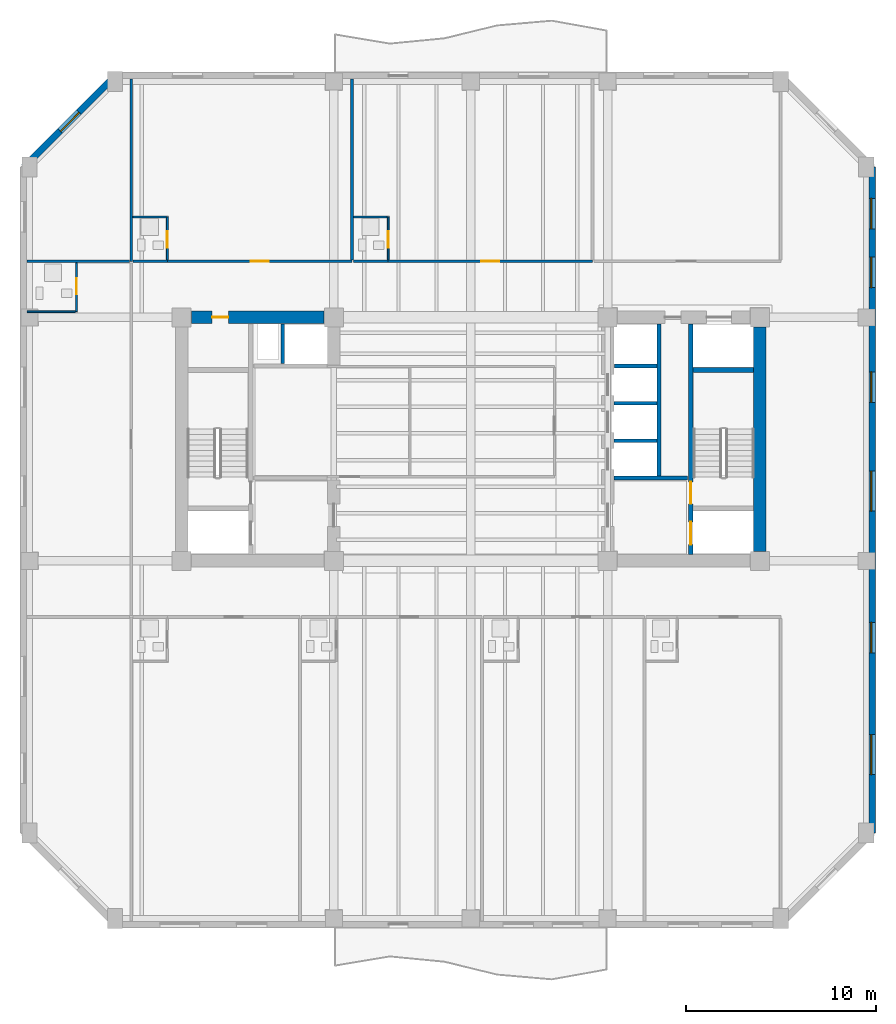
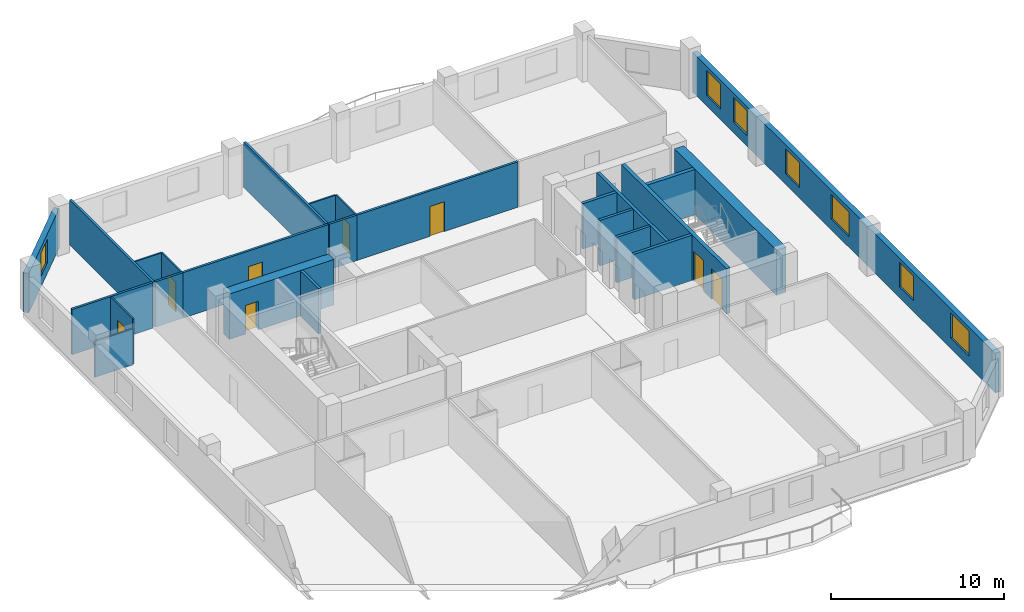
# One storey, part 4 of 10: 25 walls, 8 doors, 7 windows, 15 openings.
"""IFC4 building model written with IfcOpenShell, lengths in metres."""

from ifc_helpers import new_model, si_unit, direction, frame, frame_2d, origin, place, context, subcontext, project, spatial, rectangle, extrude, material, layer, layer_set, type_object, element, fill, save


model = new_model("IFC4")

# Units and contexts
model_context = context("Model", 3, precision=1e-05, world=origin(), true_north=direction((0.0, 1.0)))
body_context = subcontext(model_context, "Body", "Model", "MODEL_VIEW")
ifc_project = project(units=[si_unit("LENGTHUNIT", "METRE"), si_unit("AREAUNIT", "SQUARE_METRE"), si_unit("VOLUMEUNIT", "CUBIC_METRE"), si_unit("PLANEANGLEUNIT", "RADIAN"), si_unit("MASSUNIT", "GRAM", prefix="KILO")], contexts=[model_context])

# Site, building, storey
site_placement = place(None, origin())
site = spatial("IfcSite", under=ifc_project, at=site_placement, CompositionType="ELEMENT")
building_placement = place(site_placement, origin())
building = spatial("IfcBuilding", under=site, at=building_placement, Name="Kranthara Brick Stack", CompositionType="ELEMENT")
storey_placement = place(building_placement, frame((0.0, 0.0, 123.800048828125)))
storey = spatial("IfcBuildingStorey", under=building, at=storey_placement, Name="L30", CompositionType="ELEMENT", Elevation=123.800048828125)

# Wall, opening, window
ifc_material_1 = material(Name="Kiln-fired clay brick masonry M15", Category="masonry")
ifc_layer_1 = layer(ifc_material_1, 0.35009765625)
ifc_layer_set_1 = layer_set([ifc_layer_1], Name="Kiln-fired clay brick masonry M15")
wall_type_1 = type_object("IfcWallType", Name="WL-BRK-SPND-350", PredefinedType="STANDARD", material=ifc_layer_set_1)
wall_1_placement = place(storey_placement, frame((4.4951171875, 41.5, 0.0), z_axis=(0.0, 0.0, 1.0), x_axis=(0.707106781187, 0.707106781187, 0.0)))
wall_1 = element("IfcWall", 1, at=wall_1_placement, inside=storey, type_object=wall_type_1, Name="L30 Exterior Brick Facade Wall NW 1", PredefinedType="STANDARD", context=body_context, shape_type="SweptSolid", body=[
    extrude(rectangle(XDim=6.795166015625, YDim=0.35009765625, at=frame_2d((3.3974609375, 0.0))), origin(), (0.0, 0.0, 1.0), 2.784912109375),
])
opening_1_placement = place(wall_1_placement, frame((2.697998046875, 0.0, 0.75)))
opening_1 = element("IfcOpeningElement", 2, at=opening_1_placement, cuts=wall_1, Name="Opening WN10", PredefinedType="OPENING", context=body_context, shape_type="SweptSolid", body=[
    extrude(rectangle(XDim=1.39990234375, YDim=1.64990234375, at=frame_2d((0.699951171875, 0.824951171875))), frame((0.0, 0.18505859375, 0.0), z_axis=(0.0, -1.0, 0.0), x_axis=(1.0, 0.0, 0.0)), (0.0, 0.0, 1.0), 0.3701171875),
])
ifc_material_2 = material(Name="Double-glazed low-E solar control glass", Category="glass")
window_type_1 = type_object("IfcWindowType", Name="WN-CHM-1400x1750", PartitioningType="SINGLE_PANEL", PredefinedType="WINDOW", material=ifc_material_2)
window_1_placement = place(opening_1_placement, origin())
window_1 = element("IfcWindow", 3, at=window_1_placement, inside=storey, type_object=window_type_1, Name="L30 NW Chamfer Corner Window", OverallHeight=1.64990234375, OverallWidth=1.39990234375, PartitioningType="SINGLE_PANEL", PredefinedType="WINDOW", context=body_context, shape_type="SweptSolid", body=[
    extrude(rectangle(XDim=1.39990234375, YDim=1.64990234375, at=frame_2d((0.699951171875, 0.824951171875))), frame((0.0, -0.010009765625, 0.0), z_axis=(0.0, -1.0, 0.0), x_axis=(1.0, 0.0, 0.0)), (0.0, 0.0, 1.0), 0.06005859375),
])
fill(opening_1, window_1)

# Wall, openings, windows
wall_2_placement = place(storey_placement, frame((49.10498046875, 41.5, 0.0), z_axis=(0.0, 0.0, 1.0), x_axis=(0.0, -1.0, 0.0)))
wall_2 = element("IfcWall", 4, at=wall_2_placement, inside=storey, type_object=wall_type_1, Name="L30 Exterior Brick Facade Wall EAST 1", PredefinedType="STANDARD", context=body_context, shape_type="SweptSolid", body=[
    extrude(rectangle(XDim=35.0, YDim=0.35009765625, at=frame_2d((17.5, 0.0))), origin(), (0.0, 0.0, 1.0), 2.784912109375),
])
opening_2_placement = place(wall_2_placement, frame((1.64501953125, 0.0, 0.75)))
opening_2 = element("IfcOpeningElement", 5, at=opening_2_placement, cuts=wall_2, Name="Opening WN04", PredefinedType="OPENING", context=body_context, shape_type="SweptSolid", body=[
    extrude(rectangle(XDim=1.60009765625, YDim=1.75, at=frame_2d((0.800048828125, 0.875))), frame((0.0, 0.18505859375, 0.0), z_axis=(0.0, -1.0, 0.0), x_axis=(1.0, 0.0, 0.0)), (0.0, 0.0, 1.0), 0.3701171875),
])
opening_3_placement = place(wall_2_placement, frame((4.72900390625, 0.0, 0.75)))
opening_3 = element("IfcOpeningElement", 6, at=opening_3_placement, cuts=wall_2, Name="Opening WN04", PredefinedType="OPENING", context=body_context, shape_type="SweptSolid", body=[
    extrude(rectangle(XDim=1.60009765625, YDim=1.75, at=frame_2d((0.800048828125, 0.875))), frame((0.0, 0.18505859375, 0.0), z_axis=(0.0, -1.0, 0.0), x_axis=(1.0, 0.0, 0.0)), (0.0, 0.0, 1.0), 0.3701171875),
])
opening_4_placement = place(wall_2_placement, frame((10.763916015625, 0.0, 0.75)))
opening_4 = element("IfcOpeningElement", 7, at=opening_4_placement, cuts=wall_2, Name="Opening WN04", PredefinedType="OPENING", context=body_context, shape_type="SweptSolid", body=[
    extrude(rectangle(XDim=1.60009765625, YDim=1.75, at=frame_2d((0.800048828125, 0.875))), frame((0.0, 0.18505859375, 0.0), z_axis=(0.0, -1.0, 0.0), x_axis=(1.0, 0.0, 0.0)), (0.0, 0.0, 1.0), 0.3701171875),
])
opening_5_placement = place(wall_2_placement, frame((15.986083984375, 0.0, 0.75)))
opening_5 = element("IfcOpeningElement", 8, at=opening_5_placement, cuts=wall_2, Name="Opening WN05", PredefinedType="OPENING", context=body_context, shape_type="SweptSolid", body=[
    extrude(rectangle(XDim=2.10009765625, YDim=1.75, at=frame_2d((1.050048828125, 0.875))), frame((0.0, 0.18505859375, 0.0), z_axis=(0.0, -1.0, 0.0), x_axis=(1.0, 0.0, 0.0)), (0.0, 0.0, 1.0), 0.3701171875),
])
opening_6_placement = place(wall_2_placement, frame((23.93408203125, 0.0, 0.75)))
opening_6 = element("IfcOpeningElement", 9, at=opening_6_placement, cuts=wall_2, Name="Opening WN04", PredefinedType="OPENING", context=body_context, shape_type="SweptSolid", body=[
    extrude(rectangle(XDim=1.60009765625, YDim=1.75, at=frame_2d((0.800048828125, 0.875))), frame((0.0, 0.18505859375, 0.0), z_axis=(0.0, -1.0, 0.0), x_axis=(1.0, 0.0, 0.0)), (0.0, 0.0, 1.0), 0.3701171875),
])
opening_7_placement = place(wall_2_placement, frame((29.841064453125, 0.0, 0.75)))
opening_7 = element("IfcOpeningElement", 10, at=opening_7_placement, cuts=wall_2, Name="Opening WN05", PredefinedType="OPENING", context=body_context, shape_type="SweptSolid", body=[
    extrude(rectangle(XDim=2.10009765625, YDim=1.75, at=frame_2d((1.050048828125, 0.875))), frame((0.0, 0.18505859375, 0.0), z_axis=(0.0, -1.0, 0.0), x_axis=(1.0, 0.0, 0.0)), (0.0, 0.0, 1.0), 0.3701171875),
])
ifc_material_3 = material(Name="Double-glazed low-E solar control glass", Category="glass")
window_type_2 = type_object("IfcWindowType", Name="WN-HTL-1600x1850", PartitioningType="DOUBLE_PANEL_VERTICAL", PredefinedType="WINDOW", material=ifc_material_3)
window_2_placement = place(opening_2_placement, origin())
window_2 = element("IfcWindow", 11, at=window_2_placement, inside=storey, type_object=window_type_2, Name="L30 East Deep-Set Brick Window 01", OverallHeight=1.75, OverallWidth=1.60009765625, PartitioningType="SINGLE_PANEL", PredefinedType="WINDOW", context=body_context, shape_type="SweptSolid", body=[
    extrude(rectangle(XDim=1.60009765625, YDim=1.75, at=frame_2d((0.800048828125, 0.875))), frame((0.0, -0.010009765625, 0.0), z_axis=(0.0, -1.0, 0.0), x_axis=(1.0, 0.0, 0.0)), (0.0, 0.0, 1.0), 0.06005859375),
])
fill(opening_2, window_2)
window_3_placement = place(opening_3_placement, origin())
window_3 = element("IfcWindow", 12, at=window_3_placement, inside=storey, type_object=window_type_2, Name="L30 East Deep-Set Brick Window 02", OverallHeight=1.75, OverallWidth=1.60009765625, PartitioningType="SINGLE_PANEL", PredefinedType="WINDOW", context=body_context, shape_type="SweptSolid", body=[
    extrude(rectangle(XDim=1.60009765625, YDim=1.75, at=frame_2d((0.800048828125, 0.875))), frame((0.0, -0.010009765625, 0.0), z_axis=(0.0, -1.0, 0.0), x_axis=(1.0, 0.0, 0.0)), (0.0, 0.0, 1.0), 0.06005859375),
])
fill(opening_3, window_3)
window_4_placement = place(opening_4_placement, origin())
window_4 = element("IfcWindow", 13, at=window_4_placement, inside=storey, type_object=window_type_2, Name="L30 East Deep-Set Brick Window 03", OverallHeight=1.75, OverallWidth=1.60009765625, PartitioningType="SINGLE_PANEL", PredefinedType="WINDOW", context=body_context, shape_type="SweptSolid", body=[
    extrude(rectangle(XDim=1.60009765625, YDim=1.75, at=frame_2d((0.800048828125, 0.875))), frame((0.0, -0.010009765625, 0.0), z_axis=(0.0, -1.0, 0.0), x_axis=(1.0, 0.0, 0.0)), (0.0, 0.0, 1.0), 0.06005859375),
])
fill(opening_4, window_4)
window_5_placement = place(opening_6_placement, origin())
window_5 = element("IfcWindow", 14, at=window_5_placement, inside=storey, type_object=window_type_2, Name="L30 East Deep-Set Brick Window 05", OverallHeight=1.75, OverallWidth=1.60009765625, PartitioningType="SINGLE_PANEL", PredefinedType="WINDOW", context=body_context, shape_type="SweptSolid", body=[
    extrude(rectangle(XDim=1.60009765625, YDim=1.75, at=frame_2d((0.800048828125, 0.875))), frame((0.0, -0.010009765625, 0.0), z_axis=(0.0, -1.0, 0.0), x_axis=(1.0, 0.0, 0.0)), (0.0, 0.0, 1.0), 0.06005859375),
])
fill(opening_6, window_5)
ifc_material_4 = material(Name="Double-glazed low-E solar control glass", Category="glass")
window_type_3 = type_object("IfcWindowType", Name="WN-HTL-2100x1850", PartitioningType="DOUBLE_PANEL_VERTICAL", PredefinedType="WINDOW", material=ifc_material_4)
window_6_placement = place(opening_5_placement, origin())
window_6 = element("IfcWindow", 15, at=window_6_placement, inside=storey, type_object=window_type_3, Name="L30 East Deep-Set Brick Window 04", OverallHeight=1.75, OverallWidth=2.10009765625, PartitioningType="SINGLE_PANEL", PredefinedType="WINDOW", context=body_context, shape_type="SweptSolid", body=[
    extrude(rectangle(XDim=2.10009765625, YDim=1.75, at=frame_2d((1.050048828125, 0.875))), frame((0.0, -0.010009765625, 0.0), z_axis=(0.0, -1.0, 0.0), x_axis=(1.0, 0.0, 0.0)), (0.0, 0.0, 1.0), 0.06005859375),
])
fill(opening_5, window_6)
window_7_placement = place(opening_7_placement, origin())
window_7 = element("IfcWindow", 16, at=window_7_placement, inside=storey, type_object=window_type_3, Name="L30 East Deep-Set Brick Window 06", OverallHeight=1.75, OverallWidth=2.10009765625, PartitioningType="SINGLE_PANEL", PredefinedType="WINDOW", context=body_context, shape_type="SweptSolid", body=[
    extrude(rectangle(XDim=2.10009765625, YDim=1.75, at=frame_2d((1.050048828125, 0.875))), frame((0.0, -0.010009765625, 0.0), z_axis=(0.0, -1.0, 0.0), x_axis=(1.0, 0.0, 0.0)), (0.0, 0.0, 1.0), 0.06005859375),
])
fill(opening_7, window_7)

# Wall, openings, doors
ifc_material_5 = material(Name="Concrete C50/60", Category="concrete")
ifc_layer_2 = layer(ifc_material_5, 0.25)
ifc_layer_set_2 = layer_set([ifc_layer_2], Name="Concrete C50/60")
wall_type_2 = type_object("IfcWallType", Name="WL-CORE-250", PredefinedType="SHEAR", material=ifc_layer_set_2)
wall_3_placement = place(storey_placement, frame((39.56494140625, 21.135009765625, 0.0), z_axis=(0.0, 0.0, 1.0), x_axis=(0.0, 1.0, 0.0)))
wall_3 = element("IfcWall", 17, at=wall_3_placement, inside=storey, type_object=wall_type_2, Name="L30 East Core Stair Bearing Spine Wall", PredefinedType="SHEAR", context=body_context, shape_type="SweptSolid", body=[
    extrude(rectangle(XDim=12.1298828125, YDim=0.25, at=frame_2d((6.06494140625, 0.0))), origin(), (0.0, 0.0, 1.0), 3.199951171875),
])
opening_8_placement = place(wall_3_placement, frame((0.514892578125, 0.0, 0.0)))
opening_8 = element("IfcOpeningElement", 18, at=opening_8_placement, cuts=wall_3, Name="Opening LD01", PredefinedType="OPENING", context=body_context, shape_type="SweptSolid", body=[
    extrude(rectangle(XDim=1.199951171875, YDim=2.14990234375, at=frame_2d((0.60009765625, 1.074951171875))), frame((0.0, 0.135009765625, 0.0), z_axis=(0.0, -1.0, 0.0), x_axis=(1.0, 0.0, 0.0)), (0.0, 0.0, 1.0), 0.27001953125),
])
opening_9_placement = place(wall_3_placement, frame((2.6650390625, 0.0, 0.0)))
opening_9 = element("IfcOpeningElement", 19, at=opening_9_placement, cuts=wall_3, Name="Opening D05", PredefinedType="OPENING", context=body_context, shape_type="SweptSolid", body=[
    extrude(rectangle(XDim=1.14990234375, YDim=2.14990234375, at=frame_2d((0.574951171875, 1.074951171875))), frame((0.0, 0.135009765625, 0.0), z_axis=(0.0, -1.0, 0.0), x_axis=(1.0, 0.0, 0.0)), (0.0, 0.0, 1.0), 0.27001953125),
])
ifc_material_6 = material(Name="Stainless steel sliding landing door", Category="steel")
door_type_1 = type_object("IfcDoorType", Name="DR-LD-FF1200", OperationType="DOUBLE_DOOR_SLIDING", PredefinedType="DOOR", material=ifc_material_6)
door_1_placement = place(opening_8_placement, origin())
door_1 = element("IfcDoor", 20, at=door_1_placement, inside=storey, type_object=door_type_1, Name="L30 Firefighting Lift FF-02 Landing Door", OperationType="DOUBLE_DOOR_SLIDING", OverallHeight=2.14990234375, OverallWidth=1.199951171875, PredefinedType="DOOR", context=body_context, shape_type="SweptSolid", body=[
    extrude(rectangle(XDim=1.199951171875, YDim=2.14990234375, at=frame_2d((0.60009765625, 1.074951171875))), frame((0.0, 0.02490234375, 0.0), z_axis=(0.0, -1.0, 0.0), x_axis=(1.0, 0.0, 0.0)), (0.0, 0.0, 1.0), 0.050048828125),
])
fill(opening_8, door_1)
ifc_material_7 = material(Name="Solid-core hardwood timber leaf in steel frame", Category="steel")
door_type_2 = type_object("IfcDoorType", Name="DR-ST-1150", OperationType="NOTDEFINED", PredefinedType="DOOR", material=ifc_material_7)
door_2_placement = place(opening_9_placement, origin())
door_2 = element("IfcDoor", 21, at=door_2_placement, inside=storey, type_object=door_type_2, Name="L30 Exit Stair ST02 Door", OperationType="SINGLE_SWING_LEFT", OverallHeight=2.14990234375, OverallWidth=1.14990234375, PredefinedType="DOOR", context=body_context, shape_type="SweptSolid", body=[
    extrude(rectangle(XDim=1.14990234375, YDim=2.14990234375, at=frame_2d((0.574951171875, 1.074951171875))), frame((0.0, 0.02490234375, 0.0), z_axis=(0.0, -1.0, 0.0), x_axis=(1.0, 0.0, 0.0)), (0.0, 0.0, 1.0), 0.050048828125),
])
fill(opening_9, door_2)

# Wall
wall_4_placement = place(storey_placement, frame((39.68994140625, 30.830078125, 0.0), z_axis=(0.0, 0.0, 1.0), x_axis=(1.0, 0.0, 0.0)))
element("IfcWall", 22, at=wall_4_placement, inside=storey, type_object=wall_type_2, Name="L30 East Stairwell Bearing Wall EST", PredefinedType="SHEAR", context=body_context, shape_type="SweptSolid", body=[
    extrude(rectangle(XDim=3.175048828125, YDim=0.25, at=frame_2d((1.58740234375, 0.0))), origin(), (0.0, 0.0, 1.0), 3.199951171875),
])

# Wall, opening, door
ifc_material_8 = material(Name="Concrete C60/75", Category="concrete")
ifc_layer_3 = layer(ifc_material_8, 0.64990234375)
ifc_layer_set_3 = layer_set([ifc_layer_3], Name="Concrete C60/75")
wall_type_3 = type_object("IfcWallType", Name="WL-CORE-650", PredefinedType="SHEAR", material=ifc_layer_set_3)
wall_5_placement = place(storey_placement, frame((13.304931640625, 33.60009765625, 0.0), z_axis=(0.0, 0.0, 1.0), x_axis=(1.0, 0.0, 0.0)))
wall_5 = element("IfcWall", 23, at=wall_5_placement, inside=storey, type_object=wall_type_3, Name="L30 West Core Shear Wall North", PredefinedType="SHEAR", context=body_context, shape_type="SweptSolid", body=[
    extrude(rectangle(XDim=6.989990234375, YDim=0.64990234375, at=frame_2d((3.4951171875, 0.0))), origin(), (0.0, 0.0, 1.0), 3.199951171875),
])
opening_10_placement = place(wall_5_placement, frame((1.094970703125, 0.0, 0.0)))
opening_10 = element("IfcOpeningElement", 24, at=opening_10_placement, cuts=wall_5, Name="Opening D10", PredefinedType="OPENING", context=body_context, shape_type="SweptSolid", body=[
    extrude(rectangle(XDim=0.85009765625, YDim=2.02001953125, at=frame_2d((0.425048828125, 1.010009765625))), frame((0.0, 0.3349609375, 0.0), z_axis=(0.0, -1.0, 0.0), x_axis=(1.0, 0.0, 0.0)), (0.0, 0.0, 1.0), 0.669921875),
])
ifc_material_9 = material(Name="Solid-core hardwood timber leaf in steel frame", Category="steel")
door_type_3 = type_object("IfcDoorType", Name="DR-RSR-850", OperationType="NOTDEFINED", PredefinedType="DOOR", material=ifc_material_9)
door_3_placement = place(opening_10_placement, origin())
door_3 = element("IfcDoor", 25, at=door_3_placement, inside=storey, type_object=door_type_3, Name="L30 West Core Service Door 1", OperationType="SINGLE_SWING_LEFT", OverallHeight=2.02001953125, OverallWidth=0.85009765625, PredefinedType="DOOR", context=body_context, shape_type="SweptSolid", body=[
    extrude(rectangle(XDim=0.85009765625, YDim=2.02001953125, at=frame_2d((0.425048828125, 1.010009765625))), frame((0.0, 0.02490234375, 0.0), z_axis=(0.0, -1.0, 0.0), x_axis=(1.0, 0.0, 0.0)), (0.0, 0.0, 1.0), 0.050048828125),
])
fill(opening_10, door_3)

# Wall
wall_6_placement = place(storey_placement, frame((43.199951171875, 21.304931640625, 0.0), z_axis=(0.0, 0.0, 1.0), x_axis=(0.0, 1.0, 0.0)))
element("IfcWall", 26, at=wall_6_placement, inside=storey, type_object=wall_type_3, Name="L30 East Core Shear Wall East", PredefinedType="SHEAR", context=body_context, shape_type="SweptSolid", body=[
    extrude(rectangle(XDim=11.7900390625, YDim=0.64990234375, at=frame_2d((5.89501953125, 0.0))), origin(), (0.0, 0.0, 1.0), 3.199951171875),
])

# Wall, opening, door
ifc_material_10 = material(Name="Moisture-resistant wet-room partition", Category="other")
ifc_layer_4 = layer(ifc_material_10, 0.10009765625)
ifc_layer_set_4 = layer_set([ifc_layer_4], Name="Moisture-resistant wet-room partition")
wall_type_4 = type_object("IfcWallType", Name="WL-PART-100", PredefinedType="PARTITIONING", material=ifc_layer_set_4)
wall_7_placement = place(storey_placement, frame((12.050048828125, 36.6298828125, 0.0), z_axis=(0.0, 0.0, 1.0), x_axis=(0.0, 1.0, 0.0)))
wall_7 = element("IfcWall", 27, at=wall_7_placement, inside=storey, type_object=wall_type_4, Name="L30 Interior Partition 029", PredefinedType="PARTITIONING", context=body_context, shape_type="SweptSolid", body=[
    extrude(rectangle(XDim=2.25, YDim=0.10009765625, at=frame_2d((1.125, 0.0))), origin(), (0.0, 0.0, 1.0), 3.199951171875),
])
opening_11_placement = place(wall_7_placement, frame((0.639892578125, 0.0, 0.0)))
opening_11 = element("IfcOpeningElement", 28, at=opening_11_placement, cuts=wall_7, Name="Opening D17", PredefinedType="OPENING", context=body_context, shape_type="SweptSolid", body=[
    extrude(rectangle(XDim=0.85009765625, YDim=2.050048828125, at=frame_2d((0.425048828125, 1.02490234375))), frame((0.0, 0.06005859375, 0.0), z_axis=(0.0, -1.0, 0.0), x_axis=(1.0, 0.0, 0.0)), (0.0, 0.0, 1.0), 0.1201171875),
])
ifc_material_11 = material(Name="Solid-core hardwood timber leaf in steel frame", Category="steel")
door_type_4 = type_object("IfcDoorType", Name="DR-WET-850", OperationType="NOTDEFINED", PredefinedType="DOOR", material=ifc_material_11)
door_4_placement = place(opening_11_placement, origin())
door_4 = element("IfcDoor", 29, at=door_4_placement, inside=storey, type_object=door_type_4, Name="L30 Key 05 En-Suite Door 11", OperationType="SINGLE_SWING_LEFT", OverallHeight=2.050048828125, OverallWidth=0.85009765625, PredefinedType="DOOR", context=body_context, shape_type="SweptSolid", body=[
    extrude(rectangle(XDim=0.85009765625, YDim=2.050048828125, at=frame_2d((0.425048828125, 1.02490234375))), frame((0.0, 0.02490234375, 0.0), z_axis=(0.0, -1.0, 0.0), x_axis=(1.0, 0.0, 0.0)), (0.0, 0.0, 1.0), 0.050048828125),
])
fill(opening_11, door_4)

# Wall
wall_8_placement = place(storey_placement, frame((10.22998046875, 38.8798828125, 0.0), z_axis=(0.0, 0.0, 1.0), x_axis=(1.0, 0.0, 0.0)))
element("IfcWall", 30, at=wall_8_placement, inside=storey, type_object=wall_type_4, Name="L30 Interior Partition 030", PredefinedType="PARTITIONING", context=body_context, shape_type="SweptSolid", body=[
    extrude(rectangle(XDim=1.76513671875, YDim=0.10009765625, at=frame_2d((0.882568359375, 0.0))), origin(), (0.0, 0.0, 1.0), 3.199951171875),
])

# Wall, opening, door
wall_9_placement = place(storey_placement, frame((23.660888671875, 36.6298828125, 0.0), z_axis=(0.0, 0.0, 1.0), x_axis=(0.0, 1.0, 0.0)))
wall_9 = element("IfcWall", 31, at=wall_9_placement, inside=storey, type_object=wall_type_4, Name="L30 Interior Partition 034", PredefinedType="PARTITIONING", context=body_context, shape_type="SweptSolid", body=[
    extrude(rectangle(XDim=2.25, YDim=0.10009765625, at=frame_2d((1.125, 0.0))), origin(), (0.0, 0.0, 1.0), 3.199951171875),
])
opening_12_placement = place(wall_9_placement, frame((0.639892578125, 0.0, 0.0)))
opening_12 = element("IfcOpeningElement", 32, at=opening_12_placement, cuts=wall_9, Name="Opening D17", PredefinedType="OPENING", context=body_context, shape_type="SweptSolid", body=[
    extrude(rectangle(XDim=0.85009765625, YDim=2.050048828125, at=frame_2d((0.425048828125, 1.02490234375))), frame((0.0, 0.06005859375, 0.0), z_axis=(0.0, -1.0, 0.0), x_axis=(1.0, 0.0, 0.0)), (0.0, 0.0, 1.0), 0.1201171875),
])
door_5_placement = place(opening_12_placement, origin())
door_5 = element("IfcDoor", 33, at=door_5_placement, inside=storey, type_object=door_type_4, Name="L30 Key 06 En-Suite Door 13", OperationType="SINGLE_SWING_LEFT", OverallHeight=2.050048828125, OverallWidth=0.85009765625, PredefinedType="DOOR", context=body_context, shape_type="SweptSolid", body=[
    extrude(rectangle(XDim=0.85009765625, YDim=2.050048828125, at=frame_2d((0.425048828125, 1.02490234375))), frame((0.0, 0.02490234375, 0.0), z_axis=(0.0, -1.0, 0.0), x_axis=(1.0, 0.0, 0.0)), (0.0, 0.0, 1.0), 0.050048828125),
])
fill(opening_12, door_5)

# Wall
wall_10_placement = place(storey_placement, frame((21.841064453125, 38.8798828125, 0.0), z_axis=(0.0, 0.0, 1.0), x_axis=(1.0, 0.0, 0.0)))
element("IfcWall", 34, at=wall_10_placement, inside=storey, type_object=wall_type_4, Name="L30 Interior Partition 035", PredefinedType="PARTITIONING", context=body_context, shape_type="SweptSolid", body=[
    extrude(rectangle(XDim=1.764892578125, YDim=0.10009765625, at=frame_2d((0.88232421875, 0.0))), origin(), (0.0, 0.0, 1.0), 3.199951171875),
])

# Wall, opening, door
wall_11_placement = place(storey_placement, frame((7.27001953125, 33.89990234375, 0.0), z_axis=(0.0, 0.0, 1.0), x_axis=(0.0, 1.0, 0.0)))
wall_11 = element("IfcWall", 35, at=wall_11_placement, inside=storey, type_object=wall_type_4, Name="L30 Interior Partition 042", PredefinedType="PARTITIONING", context=body_context, shape_type="SweptSolid", body=[
    extrude(rectangle(XDim=2.570068359375, YDim=0.10009765625, at=frame_2d((1.28515625, 0.0))), origin(), (0.0, 0.0, 1.0), 3.199951171875),
])
opening_13_placement = place(wall_11_placement, frame((0.905029296875, 0.0, 0.0)))
opening_13 = element("IfcOpeningElement", 36, at=opening_13_placement, cuts=wall_11, Name="Opening D17", PredefinedType="OPENING", context=body_context, shape_type="SweptSolid", body=[
    extrude(rectangle(XDim=0.85009765625, YDim=2.050048828125, at=frame_2d((0.425048828125, 1.02490234375))), frame((0.0, 0.06005859375, 0.0), z_axis=(0.0, -1.0, 0.0), x_axis=(1.0, 0.0, 0.0)), (0.0, 0.0, 1.0), 0.1201171875),
])
door_6_placement = place(opening_13_placement, origin())
door_6 = element("IfcDoor", 37, at=door_6_placement, inside=storey, type_object=door_type_4, Name="L30 West Key 8 Bath 16", OperationType="SINGLE_SWING_RIGHT", OverallHeight=2.050048828125, OverallWidth=0.85009765625, PredefinedType="DOOR", context=body_context, shape_type="SweptSolid", body=[
    extrude(rectangle(XDim=0.85009765625, YDim=2.050048828125, at=frame_2d((0.425048828125, 1.02490234375))), frame((0.0, 0.02490234375, 0.0), z_axis=(0.0, -1.0, 0.0), x_axis=(1.0, 0.0, 0.0)), (0.0, 0.0, 1.0), 0.050048828125),
])
fill(opening_13, door_6)

# Walls
wall_12_placement = place(storey_placement, frame((4.675048828125, 33.89990234375, 0.0), z_axis=(0.0, 0.0, 1.0), x_axis=(1.0, 0.0, 0.0)))
element("IfcWall", 38, at=wall_12_placement, inside=storey, type_object=wall_type_4, Name="L30 Interior Partition 043", PredefinedType="PARTITIONING", context=body_context, shape_type="SweptSolid", body=[
    extrude(rectangle(XDim=2.5400390625, YDim=0.10009765625, at=frame_2d((1.27001953125, 0.0))), origin(), (0.0, 0.0, 1.0), 2.534912109375),
])
ifc_material_12 = material(Name="Fire-rated gypsum board partition", Category="other")
ifc_layer_5 = layer(ifc_material_12, 0.14990234375)
ifc_layer_set_5 = layer_set([ifc_layer_5], Name="Fire-rated gypsum board partition")
wall_type_5 = type_object("IfcWallType", Name="WL-PART-150", PredefinedType="PARTITIONING", material=ifc_layer_set_5)
wall_13_placement = place(storey_placement, frame((10.14990234375, 36.550048828125, 0.0), z_axis=(0.0, 0.0, 1.0), x_axis=(0.0, 1.0, 0.0)))
element("IfcWall", 39, at=wall_13_placement, inside=storey, type_object=wall_type_5, Name="L30 Interior Partition 026", PredefinedType="PARTITIONING", context=body_context, shape_type="SweptSolid", body=[
    extrude(rectangle(XDim=9.574951171875, YDim=0.14990234375, at=frame_2d((4.78759765625, 0.0))), origin(), (0.0, 0.0, 1.0), 3.199951171875),
])
wall_14_placement = place(storey_placement, frame((10.22998046875, 36.550048828125, 0.0), z_axis=(0.0, 0.0, 1.0), x_axis=(1.0, 0.0, 0.0)))
element("IfcWall", 40, at=wall_14_placement, inside=storey, type_object=wall_type_5, Name="L30 Interior Partition 027", PredefinedType="PARTITIONING", context=body_context, shape_type="SweptSolid", body=[
    extrude(rectangle(XDim=1.820068359375, YDim=0.14990234375, at=frame_2d((0.91015625, 0.0))), origin(), (0.0, 0.0, 1.0), 3.199951171875),
])

# Wall, opening, door
wall_15_placement = place(storey_placement, frame((12.050048828125, 36.550048828125, 0.0), z_axis=(0.0, 0.0, 1.0), x_axis=(1.0, 0.0, 0.0)))
wall_15 = element("IfcWall", 41, at=wall_15_placement, inside=storey, type_object=wall_type_5, Name="L30 Interior Partition 028", PredefinedType="PARTITIONING", context=body_context, shape_type="SweptSolid", body=[
    extrude(rectangle(XDim=9.7109375, YDim=0.14990234375, at=frame_2d((4.85546875, 0.0))), origin(), (0.0, 0.0, 1.0), 3.199951171875),
])
opening_14_placement = place(wall_15_placement, frame((4.375, 0.0, 0.0)))
opening_14 = element("IfcOpeningElement", 42, at=opening_14_placement, cuts=wall_15, Name="Opening D09", PredefinedType="OPENING", context=body_context, shape_type="SweptSolid", body=[
    extrude(rectangle(XDim=0.949951171875, YDim=2.10009765625, at=frame_2d((0.47509765625, 1.050048828125))), frame((0.0, 0.0849609375, 0.0), z_axis=(0.0, -1.0, 0.0), x_axis=(1.0, 0.0, 0.0)), (0.0, 0.0, 1.0), 0.169921875),
])
ifc_material_13 = material(Name="Solid-core hardwood timber leaf in steel frame", Category="steel")
door_type_5 = type_object("IfcDoorType", Name="DR-FD-950", OperationType="NOTDEFINED", PredefinedType="DOOR", material=ifc_material_13)
door_7_placement = place(opening_14_placement, origin())
door_7 = element("IfcDoor", 43, at=door_7_placement, inside=storey, type_object=door_type_5, Name="L30 Key 05 Entry 12", OperationType="SINGLE_SWING_RIGHT", OverallHeight=2.10009765625, OverallWidth=0.949951171875, PredefinedType="DOOR", context=body_context, shape_type="SweptSolid", body=[
    extrude(rectangle(XDim=0.949951171875, YDim=2.10009765625, at=frame_2d((0.47509765625, 1.050048828125))), frame((0.0, 0.02490234375, 0.0), z_axis=(0.0, -1.0, 0.0), x_axis=(1.0, 0.0, 0.0)), (0.0, 0.0, 1.0), 0.050048828125),
])
fill(opening_14, door_7)

# Walls
wall_16_placement = place(storey_placement, frame((21.760986328125, 36.6298828125, 0.0), z_axis=(0.0, 0.0, 1.0), x_axis=(0.0, 1.0, 0.0)))
element("IfcWall", 44, at=wall_16_placement, inside=storey, type_object=wall_type_5, Name="L30 Interior Partition 031", PredefinedType="PARTITIONING", context=body_context, shape_type="SweptSolid", body=[
    extrude(rectangle(XDim=9.4951171875, YDim=0.14990234375, at=frame_2d((4.74755859375, 0.0))), origin(), (0.0, 0.0, 1.0), 3.199951171875),
])
wall_17_placement = place(storey_placement, frame((21.841064453125, 36.550048828125, 0.0), z_axis=(0.0, 0.0, 1.0), x_axis=(1.0, 0.0, 0.0)))
element("IfcWall", 45, at=wall_17_placement, inside=storey, type_object=wall_type_5, Name="L30 Interior Partition 032", PredefinedType="PARTITIONING", context=body_context, shape_type="SweptSolid", body=[
    extrude(rectangle(XDim=1.81982421875, YDim=0.14990234375, at=frame_2d((0.909912109375, 0.0))), origin(), (0.0, 0.0, 1.0), 3.199951171875),
])

# Wall, opening, door
wall_18_placement = place(storey_placement, frame((23.660888671875, 36.550048828125, 0.0), z_axis=(0.0, 0.0, 1.0), x_axis=(1.0, 0.0, 0.0)))
wall_18 = element("IfcWall", 46, at=wall_18_placement, inside=storey, type_object=wall_type_5, Name="L30 Interior Partition 033", PredefinedType="PARTITIONING", context=body_context, shape_type="SweptSolid", body=[
    extrude(rectangle(XDim=10.735107421875, YDim=0.14990234375, at=frame_2d((5.36767578125, 0.0))), origin(), (0.0, 0.0, 1.0), 3.199951171875),
])
opening_15_placement = place(wall_18_placement, frame((4.887939453125, 0.0, 0.0)))
opening_15 = element("IfcOpeningElement", 47, at=opening_15_placement, cuts=wall_18, Name="Opening D09", PredefinedType="OPENING", context=body_context, shape_type="SweptSolid", body=[
    extrude(rectangle(XDim=0.949951171875, YDim=2.10009765625, at=frame_2d((0.47509765625, 1.050048828125))), frame((0.0, 0.0849609375, 0.0), z_axis=(0.0, -1.0, 0.0), x_axis=(1.0, 0.0, 0.0)), (0.0, 0.0, 1.0), 0.169921875),
])
door_8_placement = place(opening_15_placement, origin())
door_8 = element("IfcDoor", 48, at=door_8_placement, inside=storey, type_object=door_type_5, Name="L30 Key 06 Entry 14", OperationType="SINGLE_SWING_RIGHT", OverallHeight=2.10009765625, OverallWidth=0.949951171875, PredefinedType="DOOR", context=body_context, shape_type="SweptSolid", body=[
    extrude(rectangle(XDim=0.949951171875, YDim=2.10009765625, at=frame_2d((0.47509765625, 1.050048828125))), frame((0.0, 0.02490234375, 0.0), z_axis=(0.0, -1.0, 0.0), x_axis=(1.0, 0.0, 0.0)), (0.0, 0.0, 1.0), 0.050048828125),
])
fill(opening_15, door_8)

# Walls
wall_19_placement = place(storey_placement, frame((4.675048828125, 36.550048828125, 0.0), z_axis=(0.0, 0.0, 1.0), x_axis=(1.0, 0.0, 0.0)))
element("IfcWall", 49, at=wall_19_placement, inside=storey, type_object=wall_type_5, Name="L30 Interior Partition 040", PredefinedType="PARTITIONING", context=body_context, shape_type="SweptSolid", body=[
    extrude(rectangle(XDim=5.39501953125, YDim=0.14990234375, at=frame_2d((2.697509765625, 0.0))), origin(), (0.0, 0.0, 1.0), 3.199951171875),
])
ifc_material_14 = material(Name="Gypsum plasterboard on acoustic twin stud", Category="other")
ifc_layer_6 = layer(ifc_material_14, 0.179931640625)
ifc_layer_set_6 = layer_set([ifc_layer_6], Name="Gypsum plasterboard on acoustic twin stud")
wall_type_6 = type_object("IfcWallType", Name="WL-PART-180", PredefinedType="PARTITIONING", material=ifc_layer_set_6)
wall_20_placement = place(storey_placement, frame((18.1201171875, 31.169921875, 0.0), z_axis=(0.0, 0.0, 1.0), x_axis=(0.0, 1.0, 0.0)))
element("IfcWall", 50, at=wall_20_placement, inside=storey, type_object=wall_type_6, Name="L30 PL-07 Shaft Back Wall", PredefinedType="PARTITIONING", context=body_context, shape_type="SweptSolid", body=[
    extrude(rectangle(XDim=2.094970703125, YDim=0.179931640625, at=frame_2d((1.04736328125, 0.0))), origin(), (0.0, 0.0, 1.0), 3.199951171875),
])
for number, where, z_axis, x_axis, name in (
    (51, (35.534912109375, 27.1201171875, 0.0), (0.0, 0.0, 1.0), (1.0, 0.0, 0.0), "L30 East Hoistway Wall EH1"),
    (52, (35.534912109375, 29.080078125, 0.0), (0.0, 0.0, 1.0), (1.0, 0.0, 0.0), "L30 East Hoistway Wall EH2"),
):
    element("IfcWall", number, at=place(storey_placement, frame(where, z_axis=z_axis, x_axis=x_axis)), inside=storey, type_object=wall_type_6, Name=name, PredefinedType="PARTITIONING", context=body_context, shape_type="SweptSolid", body=[
        extrude(rectangle(XDim=2.2451171875, YDim=0.179931640625, at=frame_2d((1.12255859375, 0.0))), origin(), (0.0, 0.0, 1.0), 3.199951171875),
    ])
ifc_material_15 = material(Name="Concrete C40/50", Category="concrete")
ifc_layer_7 = layer(ifc_material_15, 0.199951171875)
ifc_layer_set_7 = layer_set([ifc_layer_7], Name="Concrete C40/50")
wall_type_7 = type_object("IfcWallType", Name="WL-PART-200", PredefinedType="SOLIDWALL", material=ifc_layer_set_7)
wall_21_placement = place(storey_placement, frame((35.534912109375, 25.14990234375, 0.0), z_axis=(0.0, 0.0, 1.0), x_axis=(1.0, 0.0, 0.0)))
element("IfcWall", 53, at=wall_21_placement, inside=storey, type_object=wall_type_7, Name="L30 East Core Cross Wall EFL", PredefinedType="SOLIDWALL", context=body_context, shape_type="SweptSolid", body=[
    extrude(rectangle(XDim=3.864990234375, YDim=0.199951171875, at=frame_2d((1.9326171875, 0.0))), origin(), (0.0, 0.0, 1.0), 3.199951171875),
])
wall_22_placement = place(storey_placement, frame((35.550048828125, 31.050048828125, 0.0), z_axis=(0.0, 0.0, 1.0), x_axis=(1.0, 0.0, 0.0)))
element("IfcWall", 54, at=wall_22_placement, inside=storey, type_object=wall_type_7, Name="L30 East Core Cross Wall EE4", PredefinedType="SOLIDWALL", context=body_context, shape_type="SweptSolid", body=[
    extrude(rectangle(XDim=2.25, YDim=0.199951171875, at=frame_2d((1.125, 0.0))), origin(), (0.0, 0.0, 1.0), 3.199951171875),
])
wall_23_placement = place(storey_placement, frame((37.89990234375, 25.27001953125, 0.0), z_axis=(0.0, 0.0, 1.0), x_axis=(0.0, 1.0, 0.0)))
element("IfcWall", 55, at=wall_23_placement, inside=storey, type_object=wall_type_7, Name="L30 East Core Cross Wall ESV", PredefinedType="SOLIDWALL", context=body_context, shape_type="SweptSolid", body=[
    extrude(rectangle(XDim=7.994873046875, YDim=0.199951171875, at=frame_2d((3.99755859375, 0.0))), origin(), (0.0, 0.0, 1.0), 3.199951171875),
])

save(model, "model.ifc")
